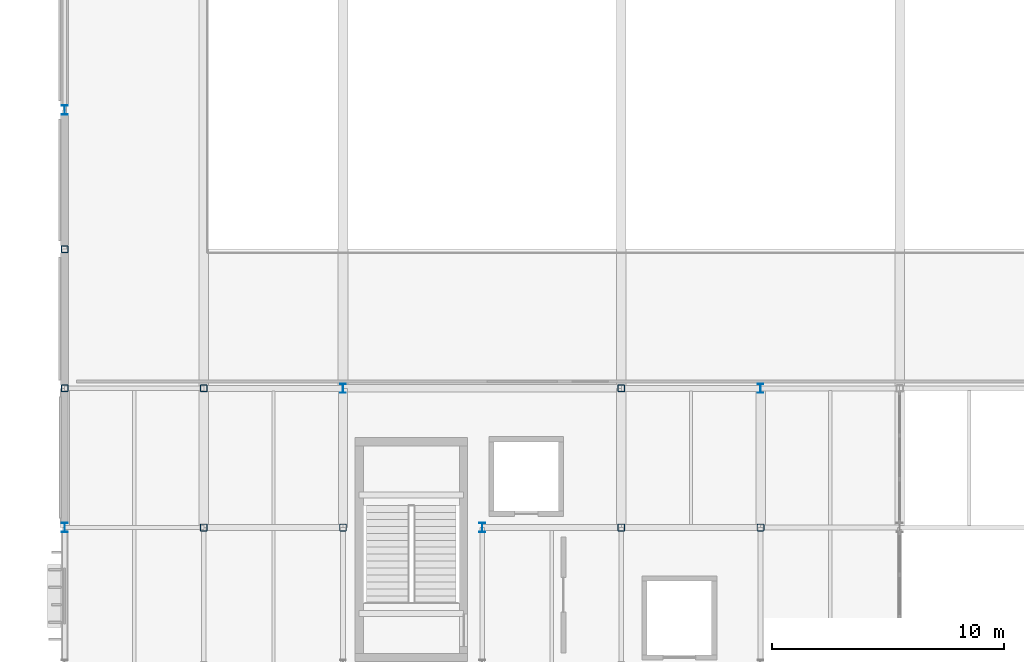
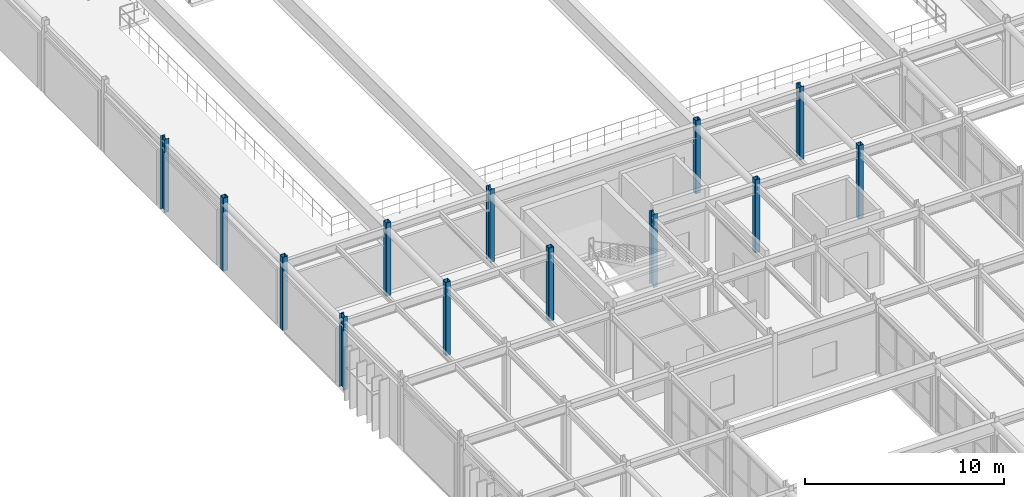
# One storey, part 10 of 96: 13 columns.
"""IFC4 building model written with IfcOpenShell, lengths in metres."""

from ifc_helpers import new_model, si_unit, direction, frame, origin, origin_2d, place, context, subcontext, project, spatial, hollow_rectangle, i_section, extrude, material, material_profile, profile_set, type_object, element, save


model = new_model("IFC4")

# Units and contexts
model_context = context("Model", 3, precision=1e-05, world=origin(), true_north=direction((0.0, 1.0)))
body_context = subcontext(model_context, "Body", "Model", "MODEL_VIEW")
ifc_project = project(units=[si_unit("LENGTHUNIT", "METRE"), si_unit("AREAUNIT", "SQUARE_METRE"), si_unit("VOLUMEUNIT", "CUBIC_METRE"), si_unit("PLANEANGLEUNIT", "RADIAN"), si_unit("MASSUNIT", "GRAM", prefix="KILO")], contexts=[model_context])

# Site, building, storey
site_placement = place(None, origin())
site = spatial("IfcSite", under=ifc_project, at=site_placement, CompositionType="ELEMENT")
building_placement = place(site_placement, origin())
building = spatial("IfcBuilding", under=site, at=building_placement, Name="Varnakota Square Police Headquarters", CompositionType="ELEMENT")
storey_placement = place(building_placement, frame((0.0, 0.0, 4.800048828125)))
storey = spatial("IfcBuildingStorey", under=building, at=storey_placement, Name="L01", CompositionType="ELEMENT", Elevation=4.800048828125)

# Columns
ifc_material = material(Name="Steel IS 2062 Grade 350", Category="steel")
ifc_material_profile_1 = material_profile(ifc_material, i_section(OverallWidth=0.25, OverallDepth=0.39990234375, WebThickness=0.010498046875, FlangeThickness=0.0126953125, FilletRadius=0.013916015625, at=origin_2d()), Name="ISHB 400")
ifc_profile_set_1 = profile_set([ifc_material_profile_1], Name="Steel IS 2062 Grade 350")
column_type_1 = type_object("IfcColumnType", Name="COL-ISHB400", PredefinedType="COLUMN", material=ifc_profile_set_1)
for number, where, z_axis, x_axis, name in (
    (1, (6.0, 69.0, 0.0), (0.0, 0.0, 1.0), (1.0, 0.0, 0.0), "Column X0060-Y0690 L01"),
    (2, (6.0, 87.0, 0.0), (0.0, 0.0, 1.0), (1.0, 0.0, 0.0), "Column X0060-Y0870 L01"),
    (3, (18.0, 75.0, 0.0), (0.0, 0.0, 1.0), (1.0, 0.0, 0.0), "Column X0180-Y0750 L01"),
    (4, (24.0, 69.0, 0.0), (0.0, 0.0, 1.0), (1.0, 0.0, 0.0), "Column X0240-Y0690 L01"),
    (5, (36.0, 75.0, 0.0), (0.0, 0.0, 1.0), (1.0, 0.0, 0.0), "Column X0360-Y0750 L01"),
):
    element("IfcColumn", number, at=place(storey_placement, frame(where, z_axis=z_axis, x_axis=x_axis)), inside=storey, type_object=column_type_1, Name=name, PredefinedType="COLUMN", context=body_context, shape_type="SweptSolid", body=[
        extrude(i_section(OverallWidth=0.25, OverallDepth=0.39990234375, WebThickness=0.010498046875, FlangeThickness=0.0126953125, FilletRadius=0.013916015625, at=origin_2d()), origin(), (0.0, 0.0, 1.0), 4.5),
    ])
ifc_material_profile_2 = material_profile(ifc_material, hollow_rectangle(XDim=0.300048828125, YDim=0.300048828125, WallThickness=0.01611328125, InnerFilletRadius=0.01611328125, OuterFilletRadius=0.031982421875, at=origin_2d()), Name="SHS 300x300x16")
ifc_profile_set_2 = profile_set([ifc_material_profile_2], Name="Steel IS 2062 Grade 350")
column_type_2 = type_object("IfcColumnType", Name="COL-SHS300", PredefinedType="COLUMN", material=ifc_profile_set_2)
for number, where, z_axis, x_axis, name in (
    (6, (6.0, 75.0, 0.0), (0.0, 0.0, 1.0), (1.0, 0.0, 0.0), "Column X0060-Y0750 L01"),
    (7, (6.0, 81.0, 0.0), (0.0, 0.0, 1.0), (1.0, 0.0, 0.0), "Column X0060-Y0810 L01"),
    (8, (12.0, 69.0, 0.0), (0.0, 0.0, 1.0), (1.0, 0.0, 0.0), "Column X0120-Y0690 L01"),
    (9, (12.0, 75.0, 0.0), (0.0, 0.0, 1.0), (1.0, 0.0, 0.0), "Column X0120-Y0750 L01"),
    (10, (18.0, 69.0, 0.0), (0.0, 0.0, 1.0), (1.0, 0.0, 0.0), "Column X0180-Y0690 L01"),
    (11, (30.0, 69.0, 0.0), (0.0, 0.0, 1.0), (1.0, 0.0, 0.0), "Column X0300-Y0690 L01"),
    (12, (30.0, 75.0, 0.0), (0.0, 0.0, 1.0), (1.0, 0.0, 0.0), "Column X0300-Y0750 L01"),
    (13, (36.0, 69.0, 0.0), (0.0, 0.0, 1.0), (1.0, 0.0, 0.0), "Column X0360-Y0690 L01"),
):
    element("IfcColumn", number, at=place(storey_placement, frame(where, z_axis=z_axis, x_axis=x_axis)), inside=storey, type_object=column_type_2, Name=name, PredefinedType="COLUMN", context=body_context, shape_type="SweptSolid", body=[
        extrude(hollow_rectangle(XDim=0.300048828125, YDim=0.300048828125, WallThickness=0.01611328125, InnerFilletRadius=0.01611328125, OuterFilletRadius=0.031982421875, at=origin_2d()), origin(), (0.0, 0.0, 1.0), 4.5),
    ])

save(model, "model.ifc")
